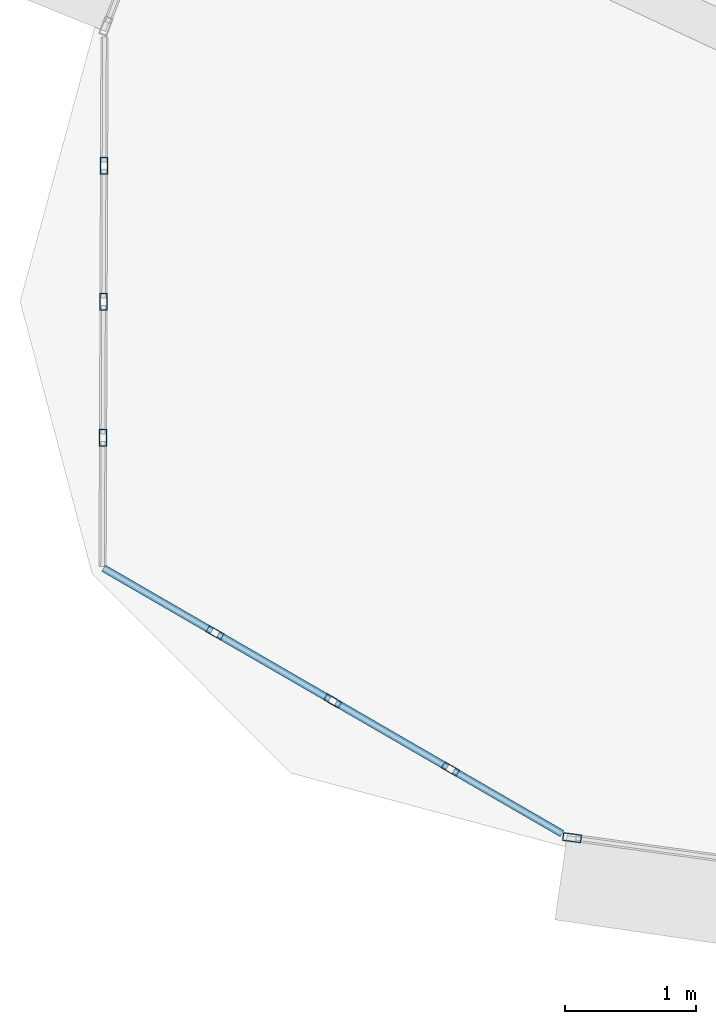
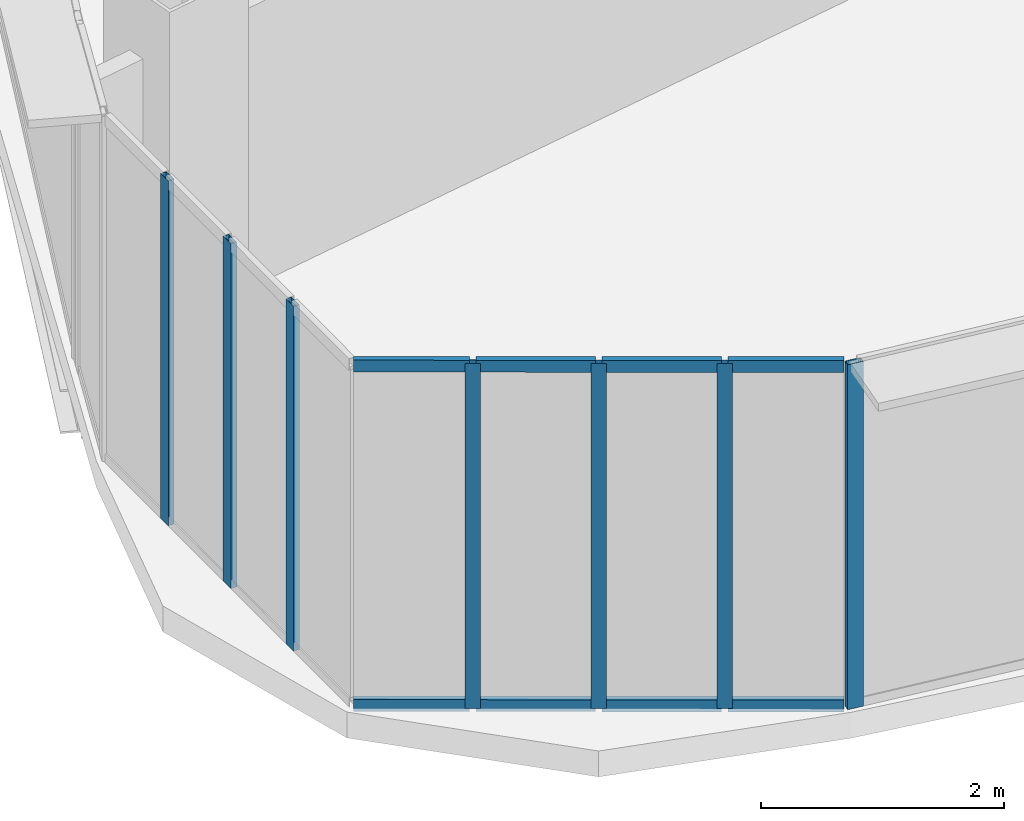
# One storey, part 2 of 36: 15 members, 3 elements without a shape of their own.
"""IFC4 building model written with IfcOpenShell, lengths in metres."""

from ifc_helpers import new_model, si_unit, direction, frame, origin, origin_2d, place, context, subcontext, project, spatial, hollow_rectangle, extrude, source, transform, mapped, material, layer, layer_set, material_profile, profile_set, type_object, element, aggregate, save


model = new_model("IFC4")

# Units and contexts
model_context = context("Model", 3, precision=1e-05, world=origin(), true_north=direction((0.0, 1.0)))
body_context = subcontext(model_context, "Body", "Model", "MODEL_VIEW")
ifc_project = project(units=[si_unit("LENGTHUNIT", "METRE"), si_unit("AREAUNIT", "SQUARE_METRE"), si_unit("VOLUMEUNIT", "CUBIC_METRE"), si_unit("PLANEANGLEUNIT", "RADIAN"), si_unit("MASSUNIT", "GRAM", prefix="KILO"), si_unit("THERMODYNAMICTEMPERATUREUNIT", "KELVIN"), si_unit("POWERUNIT", "WATT")], contexts=[model_context])

# Site, building, storey
site_placement = place(None, origin())
site = spatial("IfcSite", under=ifc_project, at=site_placement, CompositionType="ELEMENT")
building_placement = place(site_placement, origin())
building = spatial("IfcBuilding", under=site, at=building_placement, Name="Yunzhuo Pagoda Commons", CompositionType="ELEMENT")
storey_placement = place(building_placement, frame((0.0, 0.0, 263.179931640625)))
storey = spatial("IfcBuildingStorey", under=building, at=storey_placement, Name="L66", CompositionType="ELEMENT", Elevation=263.179931640625)

# Curtain wall, member
ifc_material = material(Name="Anodized aluminium 6063-T6", Category="aluminium")
ifc_layer_1 = layer(ifc_material, 0.139892578125)
ifc_layer_set_1 = layer_set([ifc_layer_1], Name="Anodized aluminium 6063-T6")
curtain_wall_type_1 = type_object("IfcCurtainWallType", Name="CW-HI High-Zone Ribbon Curtain Wall", PredefinedType="NOTDEFINED", material=ifc_layer_set_1)
curtain_wall_1_placement = place(storey_placement, origin())
curtain_wall_1 = element("IfcCurtainWall", 1, at=curtain_wall_1_placement, inside=storey, type_object=curtain_wall_type_1, Name="L66 curtain wall CW-L66-F1B1", PredefinedType="NOTDEFINED")
ifc_material_profile_1 = material_profile(ifc_material, hollow_rectangle(XDim=0.06005859375, YDim=0.139892578125, WallThickness=0.00341796875, at=origin_2d()), Name="Anodized aluminium 6063-T6")
ifc_profile_set_1 = profile_set([ifc_material_profile_1], Name="Anodized aluminium 6063-T6")
member_type_1 = type_object("IfcMemberType", Name="CW-HI-M Mullion RHS 140x60x3.5", PredefinedType="MULLION", material=ifc_profile_set_1)
shared_shape_1 = source(origin(), body_context, "Body", "SweptSolid", [
    extrude(hollow_rectangle(XDim=0.06005859375, YDim=0.139892578125, WallThickness=0.00341796875, at=origin_2d()), origin(), (0.0, 0.0, 1.0), 3.469970703125),
])
member_1_placement = place(storey_placement, frame((18.102783203125, 20.41943359375, 0.0), z_axis=(0.0, 0.0, 1.0), x_axis=(0.136099051399, 0.990695234776, 0.0)))
member_1 = element("IfcMember", 2, at=member_1_placement, type_object=member_type_1, Name="CW mullion 1", PredefinedType="MULLION", context=body_context, shape_type="MappedRepresentation", body=[
    mapped(shared_shape_1, transform((0.0, 0.0, 0.0), scale=1.0)),
])
aggregate(curtain_wall_1, [member_1])

# Curtain wall, members
ifc_layer_2 = layer(ifc_material, 0.1298828125)
ifc_layer_set_2 = layer_set([ifc_layer_2], Name="Anodized aluminium 6063-T6")
curtain_wall_type_2 = type_object("IfcCurtainWallType", Name="CW-VTX Rounded Corner Curtain Wall", PredefinedType="NOTDEFINED", material=ifc_layer_set_2)
curtain_wall_2_placement = place(storey_placement, origin())
curtain_wall_2 = element("IfcCurtainWall", 3, at=curtain_wall_2_placement, inside=storey, type_object=curtain_wall_type_2, Name="L66 curtain wall CW-L66-VTX1S1", PredefinedType="NOTDEFINED")
ifc_material_profile_2 = material_profile(ifc_material, hollow_rectangle(XDim=0.054931640625, YDim=0.1298828125, WallThickness=0.00341796875, at=origin_2d()), Name="Anodized aluminium 6063-T6")
ifc_profile_set_2 = profile_set([ifc_material_profile_2], Name="Anodized aluminium 6063-T6")
member_type_2 = type_object("IfcMemberType", Name="CW-VTX-M Mullion RHS 130x55x3.5", PredefinedType="MULLION", material=ifc_profile_set_2)
shared_shape_2 = source(origin(), body_context, "Body", "SweptSolid", [
    extrude(hollow_rectangle(XDim=0.054931640625, YDim=0.1298828125, WallThickness=0.00341796875, at=origin_2d()), origin(), (0.0, 0.0, 1.0), 3.469970703125),
])
member_2_placement = place(storey_placement, frame((14.52978515625, 25.5498046875, 0.0), z_axis=(0.0, 0.0, 1.0), x_axis=(0.999993564023, -0.003587744782, 0.0)))
member_2 = element("IfcMember", 4, at=member_2_placement, type_object=member_type_2, Name="CW mullion 2", PredefinedType="MULLION", context=body_context, shape_type="MappedRepresentation", body=[
    mapped(shared_shape_2, transform((0.0, 0.0, 0.0), scale=1.0)),
])
member_3_placement = place(storey_placement, frame((14.526123046875, 24.511474609375, 0.0), z_axis=(0.0, 0.0, 1.0), x_axis=(0.999993564023, -0.003587744782, 0.0)))
member_3 = element("IfcMember", 5, at=member_3_placement, type_object=member_type_2, Name="CW mullion 3", PredefinedType="MULLION", context=body_context, shape_type="MappedRepresentation", body=[
    mapped(shared_shape_2, transform((0.0, 0.0, 0.0), scale=1.0)),
])
member_4_placement = place(storey_placement, frame((14.5224609375, 23.473388671875, 0.0), z_axis=(0.0, 0.0, 1.0), x_axis=(0.999993564023, -0.003587744782, 0.0)))
member_4 = element("IfcMember", 6, at=member_4_placement, type_object=member_type_2, Name="CW mullion 4", PredefinedType="MULLION", context=body_context, shape_type="MappedRepresentation", body=[
    mapped(shared_shape_2, transform((0.0, 0.0, 0.0), scale=1.0)),
])
aggregate(curtain_wall_2, [member_2, member_3, member_4])

curtain_wall_3_placement = place(storey_placement, origin())
curtain_wall_3 = element("IfcCurtainWall", 7, at=curtain_wall_3_placement, inside=storey, type_object=curtain_wall_type_2, Name="L66 curtain wall CW-L66-VTX1S2", PredefinedType="NOTDEFINED")
member_5_placement = place(storey_placement, frame((15.37744140625, 21.984130859375, 0.0), z_axis=(0.0, 0.0, 1.0), x_axis=(0.501026778958, 0.865431780539, 0.0)))
member_5 = element("IfcMember", 8, at=member_5_placement, type_object=member_type_2, Name="CW mullion 2", PredefinedType="MULLION", context=body_context, shape_type="MappedRepresentation", body=[
    mapped(shared_shape_2, transform((0.0, 0.0, 0.0), scale=1.0)),
])
member_6_placement = place(storey_placement, frame((16.27587890625, 21.4638671875, 0.0), z_axis=(0.0, 0.0, 1.0), x_axis=(0.501026778958, 0.865431780539, 0.0)))
member_6 = element("IfcMember", 9, at=member_6_placement, type_object=member_type_2, Name="CW mullion 3", PredefinedType="MULLION", context=body_context, shape_type="MappedRepresentation", body=[
    mapped(shared_shape_2, transform((0.0, 0.0, 0.0), scale=1.0)),
])
member_7_placement = place(storey_placement, frame((17.1748046875, 20.94384765625, 0.0), z_axis=(0.0, 0.0, 1.0), x_axis=(0.501026778958, 0.865431780539, 0.0)))
member_7 = element("IfcMember", 10, at=member_7_placement, type_object=member_type_2, Name="CW mullion 4", PredefinedType="MULLION", context=body_context, shape_type="MappedRepresentation", body=[
    mapped(shared_shape_2, transform((0.0, 0.0, 0.0), scale=1.0)),
])
ifc_material_profile_3 = material_profile(ifc_material, hollow_rectangle(XDim=0.054931640625, YDim=0.1201171875, WallThickness=0.00341796875, at=origin_2d()), Name="Anodized aluminium 6063-T6")
ifc_profile_set_3 = profile_set([ifc_material_profile_3], Name="Anodized aluminium 6063-T6")
member_type_3 = type_object("IfcMemberType", Name="CW-VTX-T Transom RHS 120x55x3.5", PredefinedType="USERDEFINED", material=ifc_profile_set_3)
shared_shape_3 = source(origin(), body_context, "Body", "SweptSolid", [
    extrude(hollow_rectangle(XDim=0.054931640625, YDim=0.1201171875, WallThickness=0.00341796875, at=origin_2d()), origin(), (0.0, 0.0, 1.0), 0.983154296875),
])
member_8_placement = place(storey_placement, frame((15.401123046875, 21.97021484375, 0.02783203125), z_axis=(0.865556585354, -0.500811139604, 0.0), x_axis=(0.500811139604, 0.865556585354, 0.0)))
member_8 = element("IfcMember", 11, at=member_8_placement, type_object=member_type_3, Name="CW transom 2.1", ObjectType="TRANSOM", PredefinedType="USERDEFINED", context=body_context, shape_type="MappedRepresentation", body=[
    mapped(shared_shape_3, transform((0.0, 0.0, 0.0), scale=1.0)),
])
member_9_placement = place(storey_placement, frame((15.401123046875, 21.97021484375, 3.442626953125), z_axis=(0.865556585354, -0.500811139604, 0.0), x_axis=(0.500811139604, 0.865556585354, 0.0)))
member_9 = element("IfcMember", 12, at=member_9_placement, type_object=member_type_3, Name="CW transom 2.2", ObjectType="TRANSOM", PredefinedType="USERDEFINED", context=body_context, shape_type="MappedRepresentation", body=[
    mapped(shared_shape_3, transform((0.0, 0.0, 0.0), scale=1.0)),
])
member_10_placement = place(storey_placement, frame((16.2998046875, 21.4501953125, 0.02783203125), z_axis=(0.865494289942, -0.500918789903, 0.0), x_axis=(0.500918789903, 0.865494289942, 0.0)))
member_10 = element("IfcMember", 13, at=member_10_placement, type_object=member_type_3, Name="CW transom 3.1", ObjectType="TRANSOM", PredefinedType="USERDEFINED", context=body_context, shape_type="MappedRepresentation", body=[
    mapped(shared_shape_3, transform((0.0, 0.0, 0.0), scale=1.0)),
])
member_11_placement = place(storey_placement, frame((16.2998046875, 21.4501953125, 3.442626953125), z_axis=(0.865494289942, -0.500918789903, 0.0), x_axis=(0.500918789903, 0.865494289942, 0.0)))
member_11 = element("IfcMember", 14, at=member_11_placement, type_object=member_type_3, Name="CW transom 3.2", ObjectType="TRANSOM", PredefinedType="USERDEFINED", context=body_context, shape_type="MappedRepresentation", body=[
    mapped(shared_shape_3, transform((0.0, 0.0, 0.0), scale=1.0)),
])
shared_shape_4 = source(origin(), body_context, "Body", "SweptSolid", [
    extrude(hollow_rectangle(XDim=0.054931640625, YDim=0.1201171875, WallThickness=0.00341796875, at=origin_2d()), origin(), (0.0, 0.0, 1.0), 0.955810546875),
])
member_12_placement = place(storey_placement, frame((14.5263671875, 22.476806640625, 0.02783203125), z_axis=(0.865367988414, -0.501136951968, 0.0), x_axis=(0.501136951968, 0.865367988414, 0.0)))
member_12 = element("IfcMember", 15, at=member_12_placement, type_object=member_type_3, Name="CW transom 1.1", ObjectType="TRANSOM", PredefinedType="USERDEFINED", context=body_context, shape_type="MappedRepresentation", body=[
    mapped(shared_shape_4, transform((0.0, 0.0, 0.0), scale=1.0)),
])
member_13_placement = place(storey_placement, frame((14.5263671875, 22.476806640625, 3.442626953125), z_axis=(0.865367988414, -0.501136951968, 0.0), x_axis=(0.501136951968, 0.865367988414, 0.0)))
member_13 = element("IfcMember", 16, at=member_13_placement, type_object=member_type_3, Name="CW transom 1.2", ObjectType="TRANSOM", PredefinedType="USERDEFINED", context=body_context, shape_type="MappedRepresentation", body=[
    mapped(shared_shape_4, transform((0.0, 0.0, 0.0), scale=1.0)),
])
member_14_placement = place(storey_placement, frame((17.1982421875, 20.929931640625, 0.02783203125), z_axis=(0.86547874954, -0.50094563986, 0.0), x_axis=(0.50094563986, 0.86547874954, 0.0)))
member_14 = element("IfcMember", 17, at=member_14_placement, type_object=member_type_3, Name="CW transom 4.1", ObjectType="TRANSOM", PredefinedType="USERDEFINED", context=body_context, shape_type="MappedRepresentation", body=[
    mapped(shared_shape_4, transform((0.0, 0.0, 0.0), scale=1.0)),
])
member_15_placement = place(storey_placement, frame((17.1982421875, 20.929931640625, 3.442626953125), z_axis=(0.86547874954, -0.50094563986, 0.0), x_axis=(0.50094563986, 0.86547874954, 0.0)))
member_15 = element("IfcMember", 18, at=member_15_placement, type_object=member_type_3, Name="CW transom 4.2", ObjectType="TRANSOM", PredefinedType="USERDEFINED", context=body_context, shape_type="MappedRepresentation", body=[
    mapped(shared_shape_4, transform((0.0, 0.0, 0.0), scale=1.0)),
])
aggregate(curtain_wall_3, [member_5, member_6, member_7, member_12, member_13, member_8, member_9, member_10, member_11, member_14, member_15])

save(model, "model.ifc")
